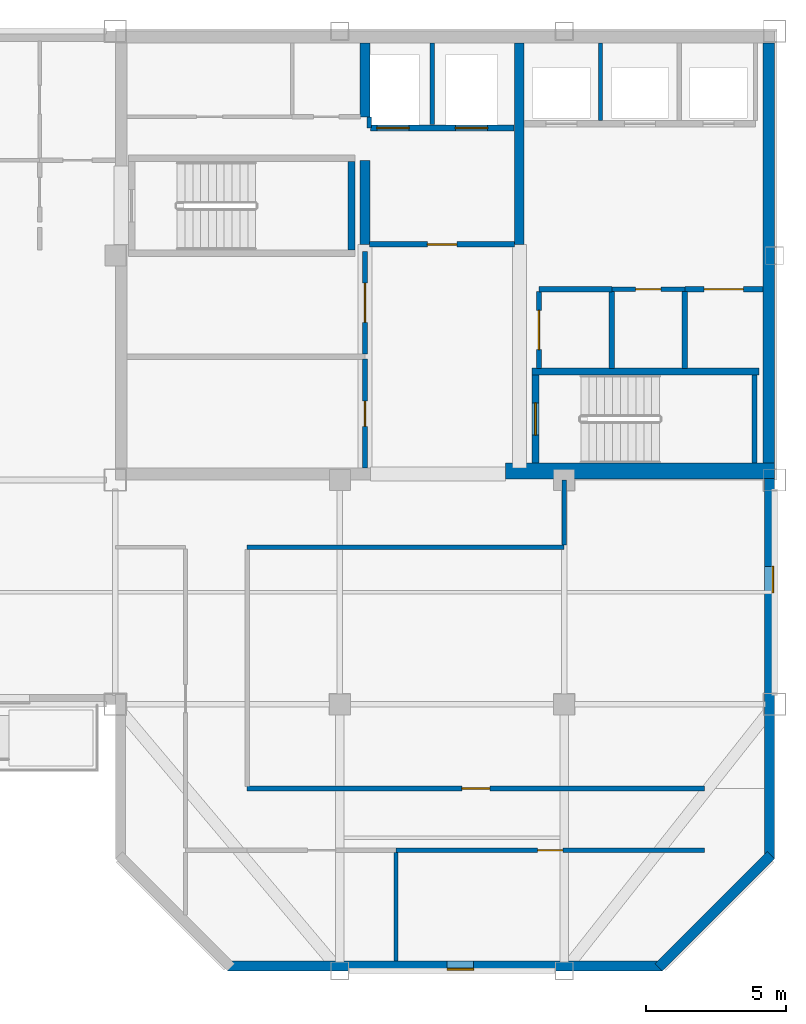
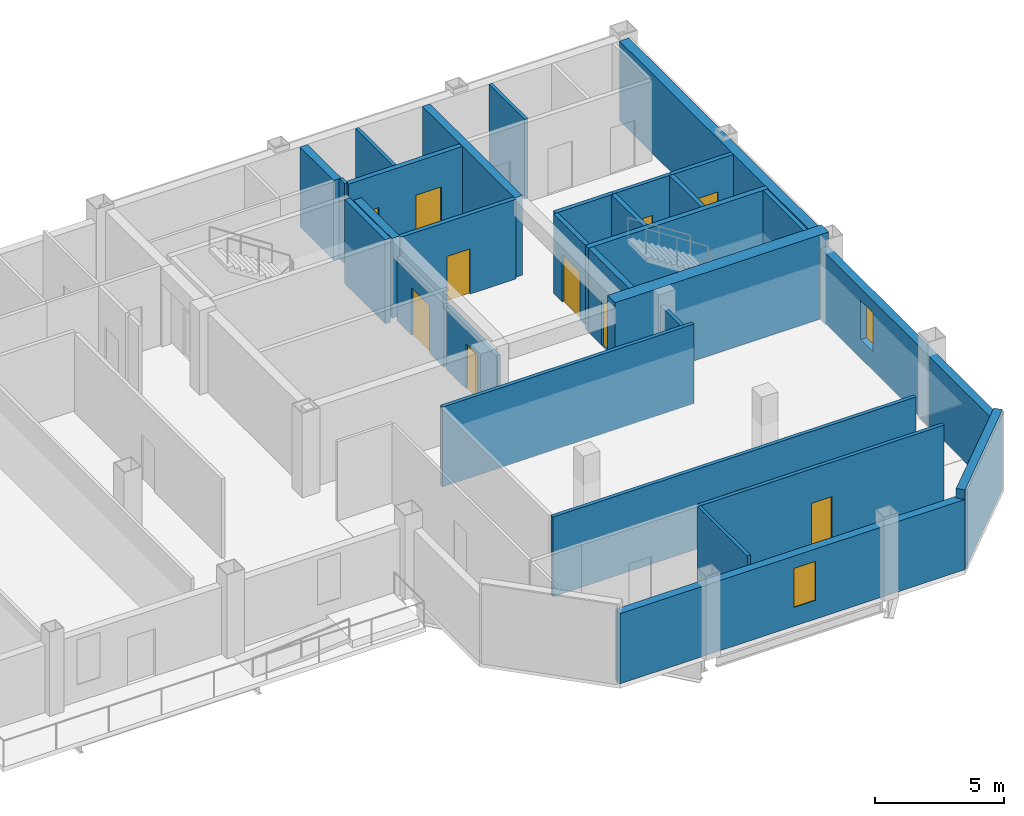
# One storey, part 3 of 7: 30 walls, 11 doors, 2 windows, 13 openings.
"""IFC4 building model written with IfcOpenShell, lengths in metres."""

from ifc_helpers import new_model, si_unit, direction, frame, frame_2d, origin, place, context, subcontext, project, spatial, rectangle, extrude, material, layer, layer_set, type_object, element, fill, save


model = new_model("IFC4")

# Units and contexts
model_context = context("Model", 3, precision=1e-05, world=origin(), true_north=direction((0.0, 1.0)))
body_context = subcontext(model_context, "Body", "Model", "MODEL_VIEW")
ifc_project = project(units=[si_unit("LENGTHUNIT", "METRE"), si_unit("AREAUNIT", "SQUARE_METRE"), si_unit("VOLUMEUNIT", "CUBIC_METRE"), si_unit("PLANEANGLEUNIT", "RADIAN"), si_unit("MASSUNIT", "GRAM", prefix="KILO")], contexts=[model_context])

# Site, building, storey
site_placement = place(None, origin())
site = spatial("IfcSite", under=ifc_project, at=site_placement, CompositionType="ELEMENT")
building_placement = place(site_placement, origin())
building = spatial("IfcBuilding", under=site, at=building_placement, Name="Qianrong Seaharbour Tower", CompositionType="ELEMENT")
storey_placement = place(building_placement, frame((0.0, 0.0, 323.199951171875)))
storey = spatial("IfcBuildingStorey", under=building, at=storey_placement, Name="L78", CompositionType="ELEMENT", Elevation=323.199951171875)

# Walls
ifc_material_1 = material(Name="Concrete C50/60", Category="concrete")
ifc_layer_1 = layer(ifc_material_1, 0.419921875)
ifc_layer_set_1 = layer_set([ifc_layer_1], Name="Concrete C50/60")
wall_type_1 = type_object("IfcWallType", Name="WALL-CORE-420", PredefinedType="SHEAR", material=ifc_layer_set_1)
wall_1_placement = place(storey_placement, frame((63.7900390625, 36.320068359375, 0.0), z_axis=(0.0, 0.0, 1.0), x_axis=(0.0, 1.0, 0.0)))
element("IfcWall", 1, at=wall_1_placement, inside=storey, type_object=wall_type_1, Name="L78 East Core Shear Wall", PredefinedType="SHEAR", context=body_context, shape_type="SweptSolid", body=[
    extrude(rectangle(XDim=15.260009765625, YDim=0.419921875, at=frame_2d((7.6298828125, 0.0))), origin(), (0.0, 0.0, 1.0), 3.78515625),
])
ifc_material_2 = material(Name="Concrete C70/85", Category="concrete")
ifc_layer_2 = layer(ifc_material_2, 0.580078125)
ifc_layer_set_2 = layer_set([ifc_layer_2], Name="Concrete C70/85")
wall_type_2 = type_object("IfcWallType", Name="WALL-CORE-580", PredefinedType="SHEAR", material=ifc_layer_set_2)
wall_2_placement = place(storey_placement, frame((54.39990234375, 36.320068359375, 0.0), z_axis=(0.0, 0.0, 1.0), x_axis=(1.0, 0.0, 0.0)))
element("IfcWall", 2, at=wall_2_placement, inside=storey, type_object=wall_type_2, Name="L78 South Core Shear Wall S3", PredefinedType="SHEAR", context=body_context, shape_type="SweptSolid", body=[
    extrude(rectangle(XDim=9.60009765625, YDim=0.580078125, at=frame_2d((4.800048828125, 0.0))), origin(), (0.0, 0.0, 1.0), 4.0),
])
ifc_layer_3 = layer(ifc_material_1, 0.35009765625)
ifc_layer_set_3 = layer_set([ifc_layer_3], Name="Concrete C50/60")
wall_type_3 = type_object("IfcWallType", Name="WALL-CORE-INT-350", PredefinedType="SHEAR", material=ifc_layer_set_3)
wall_3_placement = place(storey_placement, frame((49.39990234375, 44.39990234375, 0.0), z_axis=(0.0, 0.0, 1.0), x_axis=(0.0, 1.0, 0.0)))
element("IfcWall", 3, at=wall_3_placement, inside=storey, type_object=wall_type_3, Name="L78 Internal Core Shear Wall IW1N1", PredefinedType="SHEAR", context=body_context, shape_type="SweptSolid", body=[
    extrude(rectangle(XDim=3.0, YDim=0.35009765625, at=frame_2d((1.5, 0.0))), origin(), (0.0, 0.0, 1.0), 3.78515625),
])
wall_4_placement = place(storey_placement, frame((49.39990234375, 48.949951171875, 0.0), z_axis=(0.0, 0.0, 1.0), x_axis=(0.0, 1.0, 0.0)))
element("IfcWall", 4, at=wall_4_placement, inside=storey, type_object=wall_type_3, Name="L78 Internal Core Shear Wall IW1N2", PredefinedType="SHEAR", context=body_context, shape_type="SweptSolid", body=[
    extrude(rectangle(XDim=2.630126953125, YDim=0.35009765625, at=frame_2d((1.31494140625, 0.0))), origin(), (0.0, 0.0, 1.0), 3.78515625),
])
wall_5_placement = place(storey_placement, frame((54.89990234375, 44.39990234375, 0.0), z_axis=(0.0, 0.0, 1.0), x_axis=(0.0, 1.0, 0.0)))
element("IfcWall", 5, at=wall_5_placement, inside=storey, type_object=wall_type_3, Name="L78 Internal Core Shear Wall IW2N", PredefinedType="SHEAR", context=body_context, shape_type="SweptSolid", body=[
    extrude(rectangle(XDim=7.18017578125, YDim=0.35009765625, at=frame_2d((3.590087890625, 0.0))), origin(), (0.0, 0.0, 1.0), 3.78515625),
])

# Wall, opening, door
ifc_material_3 = material(Name="Fire-rated acoustic gypsum board partition")
ifc_layer_4 = layer(ifc_material_3, 0.1650390625)
ifc_layer_set_4 = layer_set([ifc_layer_4], Name="Fire-rated acoustic gypsum board partition")
wall_type_4 = type_object("IfcWallType", Name="WALL-CORR-PART-165", PredefinedType="PARTITIONING", material=ifc_layer_set_4)
wall_6_placement = place(storey_placement, frame((49.39990234375, 36.419921875, 0.0), z_axis=(0.0, 0.0, 1.0), x_axis=(0.0, 1.0, 0.0)))
wall_6 = element("IfcWall", 6, at=wall_6_placement, inside=storey, type_object=wall_type_4, Name="L78 Interior Partition Wall 010", PredefinedType="PARTITIONING", context=body_context, shape_type="SweptSolid", body=[
    extrude(rectangle(XDim=3.89306640625, YDim=0.1650390625, at=frame_2d((1.946533203125, 0.0))), origin(), (0.0, 0.0, 1.0), 3.027099609375),
])
opening_1_placement = place(wall_6_placement, frame((1.49658203125, 0.0, 0.0)))
opening_1 = element("IfcOpeningElement", 7, at=opening_1_placement, cuts=wall_6, Name="Opening DS-01", PredefinedType="OPENING", context=body_context, shape_type="SweptSolid", body=[
    extrude(rectangle(XDim=0.89990234375, YDim=2.14990234375, at=frame_2d((0.449951171875, 1.074951171875))), frame((0.0, 0.092529296875, 0.0), z_axis=(0.0, -1.0, 0.0), x_axis=(1.0, 0.0, 0.0)), (0.0, 0.0, 1.0), 0.18505859375),
])
ifc_material_4 = material(Name="Acoustic timber and galvanized steel fire door assembly", Category="steel")
door_type_1 = type_object("IfcDoorType", Name="DOOR-STORE-900x2150", OperationType="NOTDEFINED", PredefinedType="DOOR", material=ifc_material_4)
door_1_placement = place(opening_1_placement, origin())
door_1 = element("IfcDoor", 8, at=door_1_placement, inside=storey, type_object=door_type_1, Name="L78 Corporate Archive Room Door", OperationType="SINGLE_SWING_LEFT", OverallHeight=2.14990234375, OverallWidth=0.89990234375, PredefinedType="DOOR", context=body_context, shape_type="SweptSolid", body=[
    extrude(rectangle(XDim=0.89990234375, YDim=2.14990234375, at=frame_2d((0.449951171875, 1.074951171875))), frame((0.0, 0.02490234375, 0.0), z_axis=(0.0, -1.0, 0.0), x_axis=(1.0, 0.0, 0.0)), (0.0, 0.0, 1.0), 0.050048828125),
])
fill(opening_1, door_1)

wall_7_placement = place(storey_placement, frame((60.800048828125, 42.800048828125, 0.0), z_axis=(0.0, 0.0, 1.0), x_axis=(-1.0, 0.0, 0.0)))
wall_7 = element("IfcWall", 9, at=wall_7_placement, inside=storey, type_object=wall_type_4, Name="L78 Interior Partition Wall 015", PredefinedType="PARTITIONING", context=body_context, shape_type="SweptSolid", body=[
    extrude(rectangle(XDim=2.60009765625, YDim=0.1650390625, at=frame_2d((1.300048828125, 0.0))), origin(), (0.0, 0.0, 1.0), 3.78515625),
])
opening_2_placement = place(wall_7_placement, frame((0.85009765625, 0.0, 0.0)))
opening_2 = element("IfcOpeningElement", 10, at=opening_2_placement, cuts=wall_7, Name="Opening DS-01", PredefinedType="OPENING", context=body_context, shape_type="SweptSolid", body=[
    extrude(rectangle(XDim=0.89990234375, YDim=2.14990234375, at=frame_2d((0.449951171875, 1.074951171875))), frame((0.0, 0.092529296875, 0.0), z_axis=(0.0, -1.0, 0.0), x_axis=(1.0, 0.0, 0.0)), (0.0, 0.0, 1.0), 0.18505859375),
])
door_2_placement = place(opening_2_placement, origin())
door_2 = element("IfcDoor", 11, at=door_2_placement, inside=storey, type_object=door_type_1, Name="L78 Supply Store Room Door", OperationType="SINGLE_SWING_RIGHT", OverallHeight=2.14990234375, OverallWidth=0.89990234375, PredefinedType="DOOR", context=body_context, shape_type="SweptSolid", body=[
    extrude(rectangle(XDim=0.89990234375, YDim=2.14990234375, at=frame_2d((0.449951171875, 1.074951171875))), frame((0.0, 0.02490234375, 0.0), z_axis=(0.0, -1.0, 0.0), x_axis=(1.0, 0.0, 0.0)), (0.0, 0.0, 1.0), 0.050048828125),
])
fill(opening_2, door_2)

# Walls
wall_8_placement = place(storey_placement, frame((56.5, 36.0, 0.0), z_axis=(0.0, 0.0, 1.0), x_axis=(0.0, -1.0, 0.0)))
element("IfcWall", 12, at=wall_8_placement, inside=storey, type_object=wall_type_4, Name="L78 Interior Partition Wall 027", PredefinedType="PARTITIONING", context=body_context, shape_type="SweptSolid", body=[
    extrude(rectangle(XDim=2.325439453125, YDim=0.1650390625, at=frame_2d((1.16259765625, 0.0))), origin(), (0.0, 0.0, 1.0), 3.177001953125),
])
wall_9_placement = place(storey_placement, frame((56.5, 33.60009765625, 0.0), z_axis=(0.0, 0.0, 1.0), x_axis=(-1.0, 0.0, 0.0)))
element("IfcWall", 13, at=wall_9_placement, inside=storey, type_object=wall_type_4, Name="L78 Interior Partition Wall 028", PredefinedType="PARTITIONING", context=body_context, shape_type="SweptSolid", body=[
    extrude(rectangle(XDim=11.300048828125, YDim=0.1650390625, at=frame_2d((5.64990234375, 0.0))), origin(), (0.0, 0.0, 1.0), 3.78515625),
])

# Wall, opening, door
wall_10_placement = place(storey_placement, frame((45.199951171875, 25.0, 0.0), z_axis=(0.0, 0.0, 1.0), x_axis=(1.0, 0.0, 0.0)))
wall_10 = element("IfcWall", 14, at=wall_10_placement, inside=storey, type_object=wall_type_4, Name="L78 Interior Partition Wall 033", PredefinedType="PARTITIONING", context=body_context, shape_type="SweptSolid", body=[
    extrude(rectangle(XDim=16.300048828125, YDim=0.1650390625, at=frame_2d((8.14990234375, 0.0))), origin(), (0.0, 0.0, 1.0), 3.78515625),
])
opening_3_placement = place(wall_10_placement, frame((7.64990234375, 0.0, 0.0)))
opening_3 = element("IfcOpeningElement", 15, at=opening_3_placement, cuts=wall_10, Name="Opening DO-01", PredefinedType="OPENING", context=body_context, shape_type="SweptSolid", body=[
    extrude(rectangle(XDim=1.0, YDim=2.14990234375, at=frame_2d((0.5, 1.074951171875))), frame((0.0, 0.092529296875, 0.0), z_axis=(0.0, -1.0, 0.0), x_axis=(1.0, 0.0, 0.0)), (0.0, 0.0, 1.0), 0.18505859375),
])
door_type_2 = type_object("IfcDoorType", Name="DOOR-OFFICE-1000x2150", OperationType="NOTDEFINED", PredefinedType="DOOR", material=ifc_material_4)
door_3_placement = place(opening_3_placement, origin())
door_3 = element("IfcDoor", 16, at=door_3_placement, inside=storey, type_object=door_type_2, Name="L78 Staff Club Assembly Hall Door", OperationType="SINGLE_SWING_LEFT", OverallHeight=2.14990234375, OverallWidth=1.0, PredefinedType="DOOR", context=body_context, shape_type="SweptSolid", body=[
    extrude(rectangle(XDim=1.0, YDim=2.14990234375, at=frame_2d((0.5, 1.074951171875))), frame((0.0, 0.02490234375, 0.0), z_axis=(0.0, -1.0, 0.0), x_axis=(1.0, 0.0, 0.0)), (0.0, 0.0, 1.0), 0.050048828125),
])
fill(opening_3, door_3)

wall_11_placement = place(storey_placement, frame((61.5, 22.800048828125, 0.0), z_axis=(0.0, 0.0, 1.0), x_axis=(-1.0, 0.0, 0.0)))
wall_11 = element("IfcWall", 17, at=wall_11_placement, inside=storey, type_object=wall_type_4, Name="L78 Interior Partition Wall 035", PredefinedType="PARTITIONING", context=body_context, shape_type="SweptSolid", body=[
    extrude(rectangle(XDim=11.0, YDim=0.1650390625, at=frame_2d((5.5, 0.0))), origin(), (0.0, 0.0, 1.0), 3.78515625),
])
opening_4_placement = place(wall_11_placement, frame((5.050048828125, 0.0, 0.0)))
opening_4 = element("IfcOpeningElement", 18, at=opening_4_placement, cuts=wall_11, Name="Opening DS-01", PredefinedType="OPENING", context=body_context, shape_type="SweptSolid", body=[
    extrude(rectangle(XDim=0.89990234375, YDim=2.14990234375, at=frame_2d((0.449951171875, 1.074951171875))), frame((0.0, 0.092529296875, 0.0), z_axis=(0.0, -1.0, 0.0), x_axis=(1.0, 0.0, 0.0)), (0.0, 0.0, 1.0), 0.18505859375),
])
door_4_placement = place(opening_4_placement, origin())
door_4 = element("IfcDoor", 19, at=door_4_placement, inside=storey, type_object=door_type_1, Name="L78 Corporate Archive Room 2 Door", OperationType="SINGLE_SWING_RIGHT", OverallHeight=2.14990234375, OverallWidth=0.89990234375, PredefinedType="DOOR", context=body_context, shape_type="SweptSolid", body=[
    extrude(rectangle(XDim=0.89990234375, YDim=2.14990234375, at=frame_2d((0.449951171875, 1.074951171875))), frame((0.0, 0.02490234375, 0.0), z_axis=(0.0, -1.0, 0.0), x_axis=(1.0, 0.0, 0.0)), (0.0, 0.0, 1.0), 0.050048828125),
])
fill(opening_4, door_4)

# Wall, opening, window
ifc_material_5 = material(Name="Unitised red brick on Precast concrete C45/55", Category="masonry")
ifc_layer_5 = layer(ifc_material_5, 0.360107421875)
ifc_layer_set_5 = layer_set([ifc_layer_5], Name="Unitised red brick on Precast concrete C45/55")
wall_type_5 = type_object("IfcWallType", Name="WALL-EXT-BRICK-RED-360", PredefinedType="SOLIDWALL", material=ifc_layer_set_5)
wall_12_placement = place(storey_placement, frame((63.820068359375, 36.050048828125, 0.0), z_axis=(0.0, 0.0, 1.0), x_axis=(0.0, -1.0, 0.0)))
wall_12 = element("IfcWall", 20, at=wall_12_placement, inside=storey, type_object=wall_type_5, Name="L78 Exterior Masonry Facade Wall EAST_WING", PredefinedType="SOLIDWALL", context=body_context, shape_type="SweptSolid", body=[
    extrude(rectangle(XDim=13.550048828125, YDim=0.360107421875, at=frame_2d((6.77490234375, 0.0))), origin(), (0.0, 0.0, 1.0), 3.3349609375),
])
opening_5_placement = place(wall_12_placement, frame((3.125, 0.0, 0.89990234375)))
opening_5 = element("IfcOpeningElement", 21, at=opening_5_placement, cuts=wall_12, Name="Opening WN-13", PredefinedType="OPENING", context=body_context, shape_type="SweptSolid", body=[
    extrude(rectangle(XDim=0.949951171875, YDim=1.85009765625, at=frame_2d((0.47509765625, 0.925048828125))), frame((0.0, 0.18994140625, 0.0), z_axis=(0.0, -1.0, 0.0), x_axis=(1.0, 0.0, 0.0)), (0.0, 0.0, 1.0), 0.380126953125),
])
ifc_material_6 = material(Name="Insulated low-e double glazing in thermally broken aluminium 6063-T6 frame", Category="aluminium")
window_type = type_object("IfcWindowType", Name="WIN-NARROW-950x1850", PartitioningType="SINGLE_PANEL", PredefinedType="WINDOW", material=ifc_material_6)
window_1_placement = place(opening_5_placement, origin())
window_1 = element("IfcWindow", 22, at=window_1_placement, inside=storey, type_object=window_type, Name="L78 Deep-Set Punched Window 06.01", OverallHeight=1.85009765625, OverallWidth=0.949951171875, PartitioningType="SINGLE_PANEL", PredefinedType="WINDOW", context=body_context, shape_type="SweptSolid", body=[
    extrude(rectangle(XDim=0.949951171875, YDim=1.85009765625, at=frame_2d((0.47509765625, 0.925048828125))), frame((0.0, 0.150146484375, 0.0), z_axis=(0.0, -1.0, 0.0), x_axis=(1.0, 0.0, 0.0)), (0.0, 0.0, 1.0), 0.06005859375),
])
fill(opening_5, window_1)

# Wall
wall_13_placement = place(storey_placement, frame((63.872802734375, 22.627197265625, 0.0), z_axis=(0.0, 0.0, 1.0), x_axis=(-0.707106781187, -0.707106781187, 0.0)))
element("IfcWall", 23, at=wall_13_placement, inside=storey, type_object=wall_type_5, Name="L78 Exterior Masonry Facade Wall E07", PredefinedType="SOLIDWALL", context=body_context, shape_type="SweptSolid", body=[
    extrude(rectangle(XDim=5.65673828125, YDim=0.360107421875, at=frame_2d((2.828369140625, 0.0))), origin(), (0.0, 0.0, 1.0), 3.78515625),
])

# Wall, opening, window
wall_14_placement = place(storey_placement, frame((60.0, 18.679931640625, 0.0), z_axis=(0.0, 0.0, 1.0), x_axis=(-1.0, 0.0, 0.0)))
wall_14 = element("IfcWall", 24, at=wall_14_placement, inside=storey, type_object=wall_type_5, Name="L78 Exterior Masonry Facade Wall SOUTH_TIP", PredefinedType="SOLIDWALL", context=body_context, shape_type="SweptSolid", body=[
    extrude(rectangle(XDim=15.5, YDim=0.360107421875, at=frame_2d((7.75, 0.0))), origin(), (0.0, 0.0, 1.0), 3.3349609375),
])
opening_6_placement = place(wall_14_placement, frame((6.72509765625, 0.0, 0.89990234375)))
opening_6 = element("IfcOpeningElement", 25, at=opening_6_placement, cuts=wall_14, Name="Opening WN-13", PredefinedType="OPENING", context=body_context, shape_type="SweptSolid", body=[
    extrude(rectangle(XDim=0.949951171875, YDim=1.85009765625, at=frame_2d((0.47509765625, 0.925048828125))), frame((0.0, 0.18994140625, 0.0), z_axis=(0.0, -1.0, 0.0), x_axis=(1.0, 0.0, 0.0)), (0.0, 0.0, 1.0), 0.380126953125),
])
window_2_placement = place(opening_6_placement, origin())
window_2 = element("IfcWindow", 26, at=window_2_placement, inside=storey, type_object=window_type, Name="L78 Deep-Set Punched Window 08.02", OverallHeight=1.85009765625, OverallWidth=0.949951171875, PartitioningType="SINGLE_PANEL", PredefinedType="WINDOW", context=body_context, shape_type="SweptSolid", body=[
    extrude(rectangle(XDim=0.949951171875, YDim=1.85009765625, at=frame_2d((0.47509765625, 0.925048828125))), frame((0.0, 0.150146484375, 0.0), z_axis=(0.0, -1.0, 0.0), x_axis=(1.0, 0.0, 0.0)), (0.0, 0.0, 1.0), 0.06005859375),
])
fill(opening_6, window_2)

# Wall, opening, door
ifc_material_7 = material(Name="Double fire-rated gypsum board acoustic partition")
ifc_layer_6 = layer(ifc_material_7, 0.18994140625)
ifc_layer_set_6 = layer_set([ifc_layer_6], Name="Double fire-rated gypsum board acoustic partition")
wall_type_6 = type_object("IfcWallType", Name="WALL-FIRE-PART-190", PredefinedType="PARTITIONING", material=ifc_layer_set_6)
wall_15_placement = place(storey_placement, frame((54.73291015625, 44.39990234375, 0.0), z_axis=(0.0, 0.0, 1.0), x_axis=(-1.0, 0.0, 0.0)))
wall_15 = element("IfcWall", 27, at=wall_15_placement, inside=storey, type_object=wall_type_6, Name="L78 Interior Partition Wall 009", PredefinedType="PARTITIONING", context=body_context, shape_type="SweptSolid", body=[
    extrude(rectangle(XDim=5.166015625, YDim=0.18994140625, at=frame_2d((2.5830078125, 0.0))), origin(), (0.0, 0.0, 1.0), 3.78515625),
])
opening_7_placement = place(wall_15_placement, frame((2.05810546875, 0.0, 0.0)))
opening_7 = element("IfcOpeningElement", 28, at=opening_7_placement, cuts=wall_15, Name="Opening DC-01", PredefinedType="OPENING", context=body_context, shape_type="SweptSolid", body=[
    extrude(rectangle(XDim=1.050048828125, YDim=2.14990234375, at=frame_2d((0.52490234375, 1.074951171875))), frame((0.0, 0.10498046875, 0.0), z_axis=(0.0, -1.0, 0.0), x_axis=(1.0, 0.0, 0.0)), (0.0, 0.0, 1.0), 0.2099609375),
])
door_type_3 = type_object("IfcDoorType", Name="DOOR-CORR-FD60-1050x2150", OperationType="NOTDEFINED", PredefinedType="DOOR", material=ifc_material_4)
door_5_placement = place(opening_7_placement, origin())
door_5 = element("IfcDoor", 29, at=door_5_placement, inside=storey, type_object=door_type_3, Name="L78 Firefighting Lift Lobby Door", OperationType="SINGLE_SWING_RIGHT", OverallHeight=2.14990234375, OverallWidth=1.050048828125, PredefinedType="DOOR", context=body_context, shape_type="SweptSolid", body=[
    extrude(rectangle(XDim=1.050048828125, YDim=2.14990234375, at=frame_2d((0.52490234375, 1.074951171875))), frame((0.0, 0.02490234375, 0.0), z_axis=(0.0, -1.0, 0.0), x_axis=(1.0, 0.0, 0.0)), (0.0, 0.0, 1.0), 0.050048828125),
])
fill(opening_7, door_5)

wall_16_placement = place(storey_placement, frame((49.39990234375, 40.487060546875, 0.0), z_axis=(0.0, 0.0, 1.0), x_axis=(0.0, 1.0, 0.0)))
wall_16 = element("IfcWall", 30, at=wall_16_placement, inside=storey, type_object=wall_type_6, Name="L78 Interior Partition Wall 011", PredefinedType="PARTITIONING", context=body_context, shape_type="SweptSolid", body=[
    extrude(rectangle(XDim=3.662841796875, YDim=0.18994140625, at=frame_2d((1.83154296875, 0.0))), origin(), (0.0, 0.0, 1.0), 3.027099609375),
])
opening_8_placement = place(wall_16_placement, frame((1.131591796875, 0.0, 0.0)))
opening_8 = element("IfcOpeningElement", 31, at=opening_8_placement, cuts=wall_16, Name="Opening DP-01", PredefinedType="OPENING", context=body_context, shape_type="SweptSolid", body=[
    extrude(rectangle(XDim=1.39990234375, YDim=2.25, at=frame_2d((0.699951171875, 1.125))), frame((0.0, 0.10498046875, 0.0), z_axis=(0.0, -1.0, 0.0), x_axis=(1.0, 0.0, 0.0)), (0.0, 0.0, 1.0), 0.2099609375),
])
door_type_4 = type_object("IfcDoorType", Name="DOOR-PLANT-PAIR-1400x2250", OperationType="DOUBLE_DOOR_SINGLE_SWING", PredefinedType="DOOR", material=ifc_material_4)
door_6_placement = place(opening_8_placement, origin())
door_6 = element("IfcDoor", 32, at=door_6_placement, inside=storey, type_object=door_type_4, Name="L78 Telecom Server Room Door", OperationType="DOUBLE_DOOR_SINGLE_SWING", OverallHeight=2.25, OverallWidth=1.39990234375, PredefinedType="DOOR", context=body_context, shape_type="SweptSolid", body=[
    extrude(rectangle(XDim=1.39990234375, YDim=2.25, at=frame_2d((0.699951171875, 1.125))), frame((0.0, 0.02490234375, 0.0), z_axis=(0.0, -1.0, 0.0), x_axis=(1.0, 0.0, 0.0)), (0.0, 0.0, 1.0), 0.050048828125),
])
fill(opening_8, door_6)

wall_17_placement = place(storey_placement, frame((55.60009765625, 42.712890625, 0.0), z_axis=(0.0, 0.0, 1.0), x_axis=(0.0, -1.0, 0.0)))
wall_17 = element("IfcWall", 33, at=wall_17_placement, inside=storey, type_object=wall_type_6, Name="L78 Interior Partition Wall 012", PredefinedType="PARTITIONING", context=body_context, shape_type="SweptSolid", body=[
    extrude(rectangle(XDim=2.73095703125, YDim=0.18994140625, at=frame_2d((1.365478515625, 0.0))), origin(), (0.0, 0.0, 1.0), 3.78515625),
])
opening_9_placement = place(wall_17_placement, frame((0.66552734375, 0.0, 0.0)))
opening_9 = element("IfcOpeningElement", 34, at=opening_9_placement, cuts=wall_17, Name="Opening DP-01", PredefinedType="OPENING", context=body_context, shape_type="SweptSolid", body=[
    extrude(rectangle(XDim=1.39990234375, YDim=2.25, at=frame_2d((0.699951171875, 1.125))), frame((0.0, 0.10498046875, 0.0), z_axis=(0.0, -1.0, 0.0), x_axis=(1.0, 0.0, 0.0)), (0.0, 0.0, 1.0), 0.2099609375),
])
door_7_placement = place(opening_9_placement, origin())
door_7 = element("IfcDoor", 35, at=door_7_placement, inside=storey, type_object=door_type_4, Name="L78 Core Telecom Room Door", OperationType="DOUBLE_DOOR_SINGLE_SWING", OverallHeight=2.25, OverallWidth=1.39990234375, PredefinedType="DOOR", context=body_context, shape_type="SweptSolid", body=[
    extrude(rectangle(XDim=1.39990234375, YDim=2.25, at=frame_2d((0.699951171875, 1.125))), frame((0.0, 0.02490234375, 0.0), z_axis=(0.0, -1.0, 0.0), x_axis=(1.0, 0.0, 0.0)), (0.0, 0.0, 1.0), 0.050048828125),
])
fill(opening_9, door_7)

# Wall
wall_18_placement = place(storey_placement, frame((58.199951171875, 42.800048828125, 0.0), z_axis=(0.0, 0.0, 1.0), x_axis=(-1.0, 0.0, 0.0)))
element("IfcWall", 36, at=wall_18_placement, inside=storey, type_object=wall_type_6, Name="L78 Interior Partition Wall 014", PredefinedType="PARTITIONING", context=body_context, shape_type="SweptSolid", body=[
    extrude(rectangle(XDim=2.599853515625, YDim=0.18994140625, at=frame_2d((1.2998046875, 0.0))), origin(), (0.0, 0.0, 1.0), 3.78515625),
])

# Wall, opening, door
wall_19_placement = place(storey_placement, frame((63.580078125, 42.800048828125, 0.0), z_axis=(0.0, 0.0, 1.0), x_axis=(-1.0, 0.0, 0.0)))
wall_19 = element("IfcWall", 37, at=wall_19_placement, inside=storey, type_object=wall_type_6, Name="L78 Interior Partition Wall 016", PredefinedType="PARTITIONING", context=body_context, shape_type="SweptSolid", body=[
    extrude(rectangle(XDim=2.780029296875, YDim=0.18994140625, at=frame_2d((1.39013671875, 0.0))), origin(), (0.0, 0.0, 1.0), 3.78515625),
])
opening_10_placement = place(wall_19_placement, frame((0.68994140625, 0.0, 0.0)))
opening_10 = element("IfcOpeningElement", 38, at=opening_10_placement, cuts=wall_19, Name="Opening DP-01", PredefinedType="OPENING", context=body_context, shape_type="SweptSolid", body=[
    extrude(rectangle(XDim=1.39990234375, YDim=2.25, at=frame_2d((0.699951171875, 1.125))), frame((0.0, 0.10498046875, 0.0), z_axis=(0.0, -1.0, 0.0), x_axis=(1.0, 0.0, 0.0)), (0.0, 0.0, 1.0), 0.2099609375),
])
door_8_placement = place(opening_10_placement, origin())
door_8 = element("IfcDoor", 39, at=door_8_placement, inside=storey, type_object=door_type_4, Name="L78 Building Metering Room Door", OperationType="DOUBLE_DOOR_SINGLE_SWING", OverallHeight=2.25, OverallWidth=1.39990234375, PredefinedType="DOOR", context=body_context, shape_type="SweptSolid", body=[
    extrude(rectangle(XDim=1.39990234375, YDim=2.25, at=frame_2d((0.699951171875, 1.125))), frame((0.0, 0.02490234375, 0.0), z_axis=(0.0, -1.0, 0.0), x_axis=(1.0, 0.0, 0.0)), (0.0, 0.0, 1.0), 0.050048828125),
])
fill(opening_10, door_8)

# Walls
for number, where, z_axis, x_axis, name in (
    (40, (58.199951171875, 42.712890625, 0.0), (0.0, 0.0, 1.0), (0.0, -1.0, 0.0), "L78 Interior Partition Wall 018"),
    (41, (60.800048828125, 42.712890625, 0.0), (0.0, 0.0, 1.0), (0.0, -1.0, 0.0), "L78 Interior Partition Wall 019"),
):
    element("IfcWall", number, at=place(storey_placement, frame(where, z_axis=z_axis, x_axis=x_axis)), inside=storey, type_object=wall_type_6, Name=name, PredefinedType="PARTITIONING", context=body_context, shape_type="SweptSolid", body=[
        extrude(rectangle(XDim=2.73095703125, YDim=0.18994140625, at=frame_2d((1.365478515625, 0.0))), origin(), (0.0, 0.0, 1.0), 3.78515625),
    ])
ifc_material_8 = material(Name="Acoustic gypsum board stud partition")
ifc_layer_7 = layer(ifc_material_8, 0.14501953125)
ifc_layer_set_7 = layer_set([ifc_layer_7], Name="Acoustic gypsum board stud partition")
wall_type_7 = type_object("IfcWallType", Name="WALL-OFFICE-PART-145", PredefinedType="PARTITIONING", material=ifc_layer_set_7)
wall_20_placement = place(storey_placement, frame((50.5, 22.7255859375, 0.0), z_axis=(0.0, 0.0, 1.0), x_axis=(0.0, -1.0, 0.0)))
element("IfcWall", 42, at=wall_20_placement, inside=storey, type_object=wall_type_7, Name="L78 Interior Partition Wall 040", PredefinedType="PARTITIONING", context=body_context, shape_type="SweptSolid", body=[
    extrude(rectangle(XDim=3.87353515625, YDim=0.14501953125, at=frame_2d((1.936767578125, 0.0))), origin(), (0.0, 0.0, 1.0), 3.78515625),
])
ifc_material_9 = material(Name="Fire-rated gypsum board on steel studs", Category="steel")
ifc_layer_8 = layer(ifc_material_9, 0.14990234375)
ifc_layer_set_8 = layer_set([ifc_layer_8], Name="Fire-rated gypsum board on steel studs")
wall_type_8 = type_object("IfcWallType", Name="WALL-SHAFT-DIV-150", PredefinedType="PARTITIONING", material=ifc_layer_set_8)
wall_21_placement = place(storey_placement, frame((51.800048828125, 48.669921875, 0.0), z_axis=(0.0, 0.0, 1.0), x_axis=(0.0, 1.0, 0.0)))
element("IfcWall", 43, at=wall_21_placement, inside=storey, type_object=wall_type_8, Name="L78 Firefighting Lift Shaft Divider Wall", PredefinedType="PARTITIONING", context=body_context, shape_type="SweptSolid", body=[
    extrude(rectangle(XDim=2.91015625, YDim=0.14990234375, at=frame_2d((1.455078125, 0.0))), origin(), (0.0, 0.0, 1.0), 3.78515625),
])
wall_22_placement = place(storey_placement, frame((49.550048828125, 48.550048828125, 0.0), z_axis=(0.0, 0.0, 1.0), x_axis=(0.0, 1.0, 0.0)))
element("IfcWall", 44, at=wall_22_placement, inside=storey, type_object=wall_type_8, Name="L78 Firefighting Lift Shaft West Return Wall", PredefinedType="PARTITIONING", context=body_context, shape_type="SweptSolid", body=[
    extrude(rectangle(XDim=0.39990234375, YDim=0.14990234375, at=frame_2d((0.199951171875, 0.0))), origin(), (0.0, 0.0, 1.0), 3.78515625),
])
wall_23_placement = place(storey_placement, frame((57.800048828125, 48.81005859375, 0.0), z_axis=(0.0, 0.0, 1.0), x_axis=(0.0, 1.0, 0.0)))
element("IfcWall", 45, at=wall_23_placement, inside=storey, type_object=wall_type_8, Name="L78 P4 Lift Hoistway Divider 2", PredefinedType="PARTITIONING", context=body_context, shape_type="SweptSolid", body=[
    extrude(rectangle(XDim=2.77001953125, YDim=0.14990234375, at=frame_2d((1.385009765625, 0.0))), origin(), (0.0, 0.0, 1.0), 3.78515625),
])

# Wall, openings, doors
ifc_layer_9 = layer(ifc_material_9, 0.219970703125)
ifc_layer_set_9 = layer_set([ifc_layer_9], Name="Fire-rated gypsum board on steel studs")
wall_type_9 = type_object("IfcWallType", Name="WALL-SHAFT-GYP220", PredefinedType="PARTITIONING", material=ifc_layer_set_9)
wall_24_placement = place(storey_placement, frame((54.7099609375, 48.550048828125, 0.0), z_axis=(0.0, 0.0, 1.0), x_axis=(-1.0, 0.0, 0.0)))
wall_24 = element("IfcWall", 46, at=wall_24_placement, inside=storey, type_object=wall_type_9, Name="L78 Firefighting Lift Shaft Front Wall", PredefinedType="PARTITIONING", context=body_context, shape_type="SweptSolid", body=[
    extrude(rectangle(XDim=5.119873046875, YDim=0.219970703125, at=frame_2d((2.56005859375, 0.0))), origin(), (0.0, 0.0, 1.0), 3.78515625),
])
opening_11_placement = place(wall_24_placement, frame((3.735107421875, 0.0, 0.0)))
opening_11 = element("IfcOpeningElement", 47, at=opening_11_placement, cuts=wall_24, Name="Opening LD-01", PredefinedType="OPENING", context=body_context, shape_type="SweptSolid", body=[
    extrude(rectangle(XDim=1.14990234375, YDim=2.199951171875, at=frame_2d((0.574951171875, 1.10009765625))), frame((0.0, 0.1201171875, 0.0), z_axis=(0.0, -1.0, 0.0), x_axis=(1.0, 0.0, 0.0)), (0.0, 0.0, 1.0), 0.239990234375),
])
opening_12_placement = place(wall_24_placement, frame((0.93505859375, 0.0, 0.0)))
opening_12 = element("IfcOpeningElement", 48, at=opening_12_placement, cuts=wall_24, Name="Opening LD-01", PredefinedType="OPENING", context=body_context, shape_type="SweptSolid", body=[
    extrude(rectangle(XDim=1.14990234375, YDim=2.199951171875, at=frame_2d((0.574951171875, 1.10009765625))), frame((0.0, 0.1201171875, 0.0), z_axis=(0.0, -1.0, 0.0), x_axis=(1.0, 0.0, 0.0)), (0.0, 0.0, 1.0), 0.239990234375),
])
ifc_material_10 = material(Name="Stainless steel SUS316L bi-parting lift landing door", Category="steel")
door_type_5 = type_object("IfcDoorType", Name="DOOR-LIFT-FF-1150x2200", OperationType="DOUBLE_DOOR_SLIDING", PredefinedType="DOOR", material=ifc_material_10)
door_9_placement = place(opening_11_placement, origin())
door_9 = element("IfcDoor", 49, at=door_9_placement, inside=storey, type_object=door_type_5, Name="L78 FL-1 Firefighting Lift Landing Door", OperationType="DOUBLE_DOOR_SLIDING", OverallHeight=2.199951171875, OverallWidth=1.14990234375, PredefinedType="DOOR", context=body_context, shape_type="SweptSolid", body=[
    extrude(rectangle(XDim=1.14990234375, YDim=2.199951171875, at=frame_2d((0.574951171875, 1.10009765625))), frame((0.0, 0.02490234375, 0.0), z_axis=(0.0, -1.0, 0.0), x_axis=(1.0, 0.0, 0.0)), (0.0, 0.0, 1.0), 0.050048828125),
])
fill(opening_11, door_9)
door_10_placement = place(opening_12_placement, origin())
door_10 = element("IfcDoor", 50, at=door_10_placement, inside=storey, type_object=door_type_5, Name="L78 FL-2 Firefighting Lift Landing Door", OperationType="DOUBLE_DOOR_SLIDING", OverallHeight=2.199951171875, OverallWidth=1.14990234375, PredefinedType="DOOR", context=body_context, shape_type="SweptSolid", body=[
    extrude(rectangle(XDim=1.14990234375, YDim=2.199951171875, at=frame_2d((0.574951171875, 1.10009765625))), frame((0.0, 0.02490234375, 0.0), z_axis=(0.0, -1.0, 0.0), x_axis=(1.0, 0.0, 0.0)), (0.0, 0.0, 1.0), 0.050048828125),
])
fill(opening_12, door_10)

# Walls
ifc_layer_10 = layer(ifc_material_1, 0.239990234375)
ifc_layer_set_10 = layer_set([ifc_layer_10], Name="Concrete C50/60")
wall_type_10 = type_object("IfcWallType", Name="WALL-SHAFT-RC240", PredefinedType="SOLIDWALL", material=ifc_layer_set_10)
wall_25_placement = place(storey_placement, frame((48.919921875, 44.199951171875, 0.0), z_axis=(0.0, 0.0, 1.0), x_axis=(0.0, 1.0, 0.0)))
element("IfcWall", 51, at=wall_25_placement, inside=storey, type_object=wall_type_10, Name="L78 ST-1 Structural Stair Core Wall E", PredefinedType="SOLIDWALL", context=body_context, shape_type="SweptSolid", body=[
    extrude(rectangle(XDim=3.150146484375, YDim=0.239990234375, at=frame_2d((1.5751953125, 0.0))), origin(), (0.0, 0.0, 1.0), 4.0),
])
wall_26_placement = place(storey_placement, frame((55.360107421875, 39.8701171875, 0.0), z_axis=(0.0, 0.0, 1.0), x_axis=(1.0, 0.0, 0.0)))
element("IfcWall", 52, at=wall_26_placement, inside=storey, type_object=wall_type_10, Name="L78 ST-2 Structural Stair Core Wall N", PredefinedType="SOLIDWALL", context=body_context, shape_type="SweptSolid", body=[
    extrude(rectangle(XDim=8.079833984375, YDim=0.239990234375, at=frame_2d((4.0400390625, 0.0))), origin(), (0.0, 0.0, 1.0), 4.0),
])

# Wall, opening, door
wall_27_placement = place(storey_placement, frame((55.47998046875, 39.75, 0.0), z_axis=(0.0, 0.0, 1.0), x_axis=(0.0, -1.0, 0.0)))
wall_27 = element("IfcWall", 53, at=wall_27_placement, inside=storey, type_object=wall_type_10, Name="L78 ST-2 Structural Stair Core Wall W", PredefinedType="SOLIDWALL", context=body_context, shape_type="SweptSolid", body=[
    extrude(rectangle(XDim=3.14990234375, YDim=0.239990234375, at=frame_2d((1.574951171875, 0.0))), origin(), (0.0, 0.0, 1.0), 4.0),
])
opening_13_placement = place(wall_27_placement, frame((1.0, 0.0, 0.0)))
opening_13 = element("IfcOpeningElement", 54, at=opening_13_placement, cuts=wall_27, Name="Opening SD-01", PredefinedType="OPENING", context=body_context, shape_type="SweptSolid", body=[
    extrude(rectangle(XDim=1.14990234375, YDim=2.199951171875, at=frame_2d((0.574951171875, 1.10009765625))), frame((0.0, 0.1298828125, 0.0), z_axis=(0.0, -1.0, 0.0), x_axis=(1.0, 0.0, 0.0)), (0.0, 0.0, 1.0), 0.260009765625),
])
door_type_6 = type_object("IfcDoorType", Name="DOOR-STAIR-FD60-1150x2200", OperationType="NOTDEFINED", PredefinedType="DOOR", material=ifc_material_4)
door_11_placement = place(opening_13_placement, origin())
door_11 = element("IfcDoor", 55, at=door_11_placement, inside=storey, type_object=door_type_6, Name="L78 ST-2 Protected Stair Door", OperationType="SINGLE_SWING_LEFT", OverallHeight=2.199951171875, OverallWidth=1.14990234375, PredefinedType="DOOR", context=body_context, shape_type="SweptSolid", body=[
    extrude(rectangle(XDim=1.14990234375, YDim=2.199951171875, at=frame_2d((0.574951171875, 1.10009765625))), frame((0.0, 0.02490234375, 0.0), z_axis=(0.0, -1.0, 0.0), x_axis=(1.0, 0.0, 0.0)), (0.0, 0.0, 1.0), 0.050048828125),
])
fill(opening_13, door_11)

# Wall
wall_28_placement = place(storey_placement, frame((63.2900390625, 36.60009765625, 0.0), z_axis=(0.0, 0.0, 1.0), x_axis=(0.0, 1.0, 0.0)))
element("IfcWall", 56, at=wall_28_placement, inside=storey, type_object=wall_type_10, Name="L78 ST-2 Structural Stair Core Wall E", PredefinedType="SOLIDWALL", context=body_context, shape_type="SweptSolid", body=[
    extrude(rectangle(XDim=3.14990234375, YDim=0.179931640625, at=frame_2d((1.574951171875, 0.0))), origin(), (0.0, 0.0, 1.0), 4.0),
])

save(model, "model.ifc")
